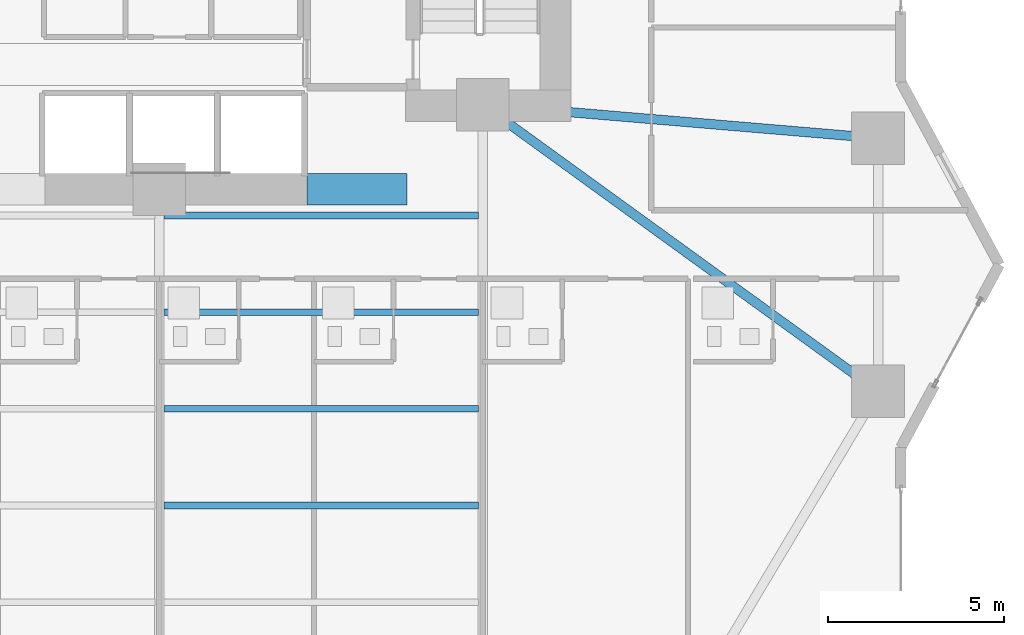
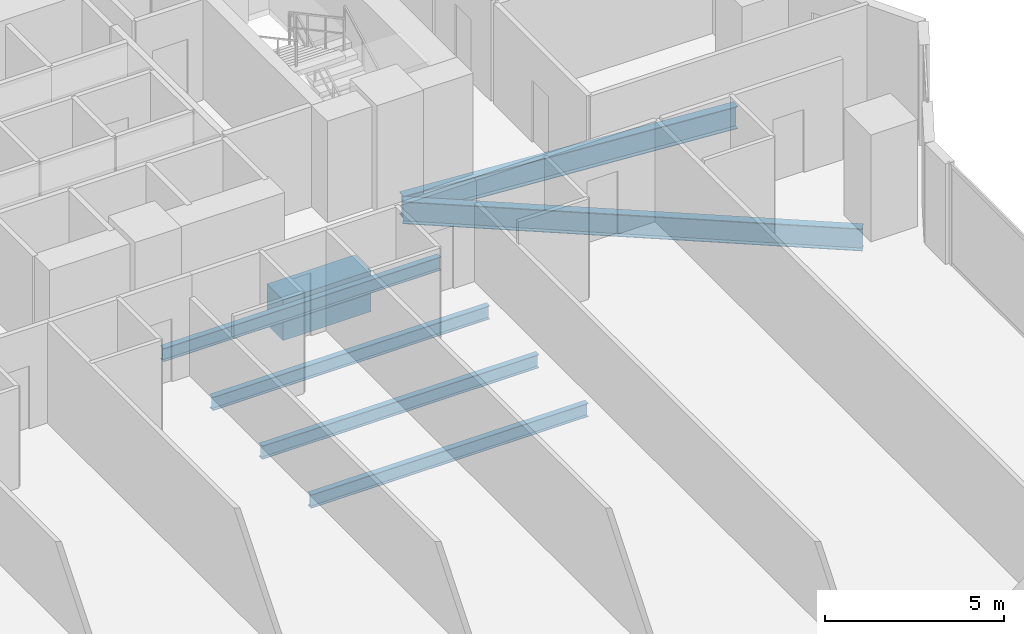
# One storey, part 11 of 29: 7 beams.
"""IFC4 building model written with IfcOpenShell, lengths in metres."""

from ifc_helpers import new_model, si_unit, direction, frame, origin, origin_2d, place, context, subcontext, project, spatial, rectangle, i_section, extrude, material, material_profile, profile_set, type_object, element, save


model = new_model("IFC4")

# Units and contexts
model_context = context("Model", 3, precision=1e-05, world=origin(), true_north=direction((0.0, 1.0)))
body_context = subcontext(model_context, "Body", "Model", "MODEL_VIEW")
ifc_project = project(units=[si_unit("LENGTHUNIT", "METRE"), si_unit("AREAUNIT", "SQUARE_METRE"), si_unit("VOLUMEUNIT", "CUBIC_METRE"), si_unit("PLANEANGLEUNIT", "RADIAN"), si_unit("MASSUNIT", "GRAM", prefix="KILO")], contexts=[model_context])

# Site, building, storey
site_placement = place(None, origin())
site = spatial("IfcSite", under=ifc_project, at=site_placement, CompositionType="ELEMENT")
building_placement = place(site_placement, origin())
building = spatial("IfcBuilding", under=site, at=building_placement, Name="Zuhayl Quay Hotel", CompositionType="ELEMENT")
storey_placement = place(building_placement, frame((0.0, 0.0, 67.75)))
storey = spatial("IfcBuildingStorey", under=building, at=storey_placement, Name="L16", CompositionType="ELEMENT", Elevation=67.75)

# Beams
ifc_material_1 = material(Name="Steel ASTM A992 Grade 50", Category="steel")
ifc_material_profile_1 = material_profile(ifc_material_1, i_section(OverallWidth=0.26708984375, OverallDepth=0.761962890625, WebThickness=0.014404296875, FlangeThickness=0.021484375, at=origin_2d()), Name="W30X116")
ifc_profile_set_1 = profile_set([ifc_material_profile_1], Name="Steel ASTM A992 Grade 50")
beam_type_1 = type_object("IfcBeamType", Name="BM_B1_W30X116", PredefinedType="BEAM", material=ifc_profile_set_1)
beam_1_placement = place(storey_placement, frame((14.164306640625, 4.285888671875, -0.60107421875), z_axis=(0.809830244688, -0.586664277751, 0.0), x_axis=(0.586664277751, 0.809830244688, 0.0)))
element("IfcBeam", 1, at=beam_1_placement, inside=storey, type_object=beam_type_1, Name="L16 Floor Beam FG_E_L16_1", PredefinedType="BEAM", context=body_context, shape_type="SweptSolid", body=[
    extrude(i_section(OverallWidth=0.26708984375, OverallDepth=0.761962890625, WebThickness=0.014404296875, FlangeThickness=0.021484375, at=origin_2d()), origin(), (0.0, 0.0, 1.0), 12.94189453125),
])
beam_2_placement = place(storey_placement, frame((14.248291015625, 4.51220703125, -0.60107421875), z_axis=(0.996453145398, -0.084149444594, 0.0), x_axis=(0.084149444594, 0.996453145398, 0.0)))
element("IfcBeam", 2, at=beam_2_placement, inside=storey, type_object=beam_type_1, Name="L16 Floor Beam FG_E_L16_2", PredefinedType="BEAM", context=body_context, shape_type="SweptSolid", body=[
    extrude(i_section(OverallWidth=0.26708984375, OverallDepth=0.761962890625, WebThickness=0.014404296875, FlangeThickness=0.021484375, at=origin_2d()), origin(), (0.0, 0.0, 1.0), 10.340087890625),
])
ifc_material_2 = material(Name="Concrete C60/75", Category="concrete")
ifc_material_profile_2 = material_profile(ifc_material_2, rectangle(XDim=0.89990234375, YDim=1.39990234375, at=origin_2d()), Name="RC900X1400")
ifc_profile_set_2 = profile_set([ifc_material_profile_2], Name="Concrete C60/75")
beam_type_2 = type_object("IfcBeamType", Name="BM_CB1_RC900", PredefinedType="T_BEAM", material=ifc_profile_set_2)
beam_3_placement = place(storey_placement, frame((8.800048828125, 2.14990234375, -0.919921875), z_axis=(1.0, 0.0, 0.0), x_axis=(0.0, 1.0, 0.0)))
element("IfcBeam", 3, at=beam_3_placement, inside=storey, type_object=beam_type_2, Name="L16 Core Coupling Beam SE", PredefinedType="T_BEAM", context=body_context, shape_type="SweptSolid", body=[
    extrude(rectangle(XDim=0.89990234375, YDim=1.39990234375, at=origin_2d()), origin(), (0.0, 0.0, 1.0), 2.849853515625),
])
ifc_material_profile_3 = material_profile(ifc_material_1, i_section(OverallWidth=0.18994140625, OverallDepth=0.45703125, WebThickness=0.009033203125, FlangeThickness=0.014404296875, at=origin_2d()), Name="W18X50")
ifc_profile_set_3 = profile_set([ifc_material_profile_3], Name="Steel ASTM A992 Grade 50")
beam_type_3 = type_object("IfcBeamType", Name="BM_J2_W18X50", PredefinedType="JOIST", material=ifc_profile_set_3)
for number, where, z_axis, x_axis, name in (
    (4, (4.7255859375, -6.85009765625, -0.448486328125), (1.0, 0.0, 0.0), (0.0, 1.0, 0.0), "L16 Floor Beam FJ_L16_7_3"),
    (5, (4.7255859375, -4.10009765625, -0.448486328125), (1.0, 0.0, 0.0), (0.0, 1.0, 0.0), "L16 Floor Beam FJ_L16_8_3"),
    (6, (4.7255859375, -1.35009765625, -0.448486328125), (1.0, 0.0, 0.0), (0.0, 1.0, 0.0), "L16 Floor Beam FJ_L16_9_3"),
    (7, (4.7255859375, 1.39990234375, -0.448486328125), (1.0, 0.0, 0.0), (0.0, 1.0, 0.0), "L16 Floor Beam FJ_L16_10_3"),
):
    element("IfcBeam", number, at=place(storey_placement, frame(where, z_axis=z_axis, x_axis=x_axis)), inside=storey, type_object=beam_type_3, Name=name, PredefinedType="JOIST", context=body_context, shape_type="SweptSolid", body=[
        extrude(i_section(OverallWidth=0.18994140625, OverallDepth=0.45703125, WebThickness=0.009033203125, FlangeThickness=0.014404296875, at=origin_2d()), origin(), (0.0, 0.0, 1.0), 8.948974609375),
    ])

save(model, "model.ifc")
